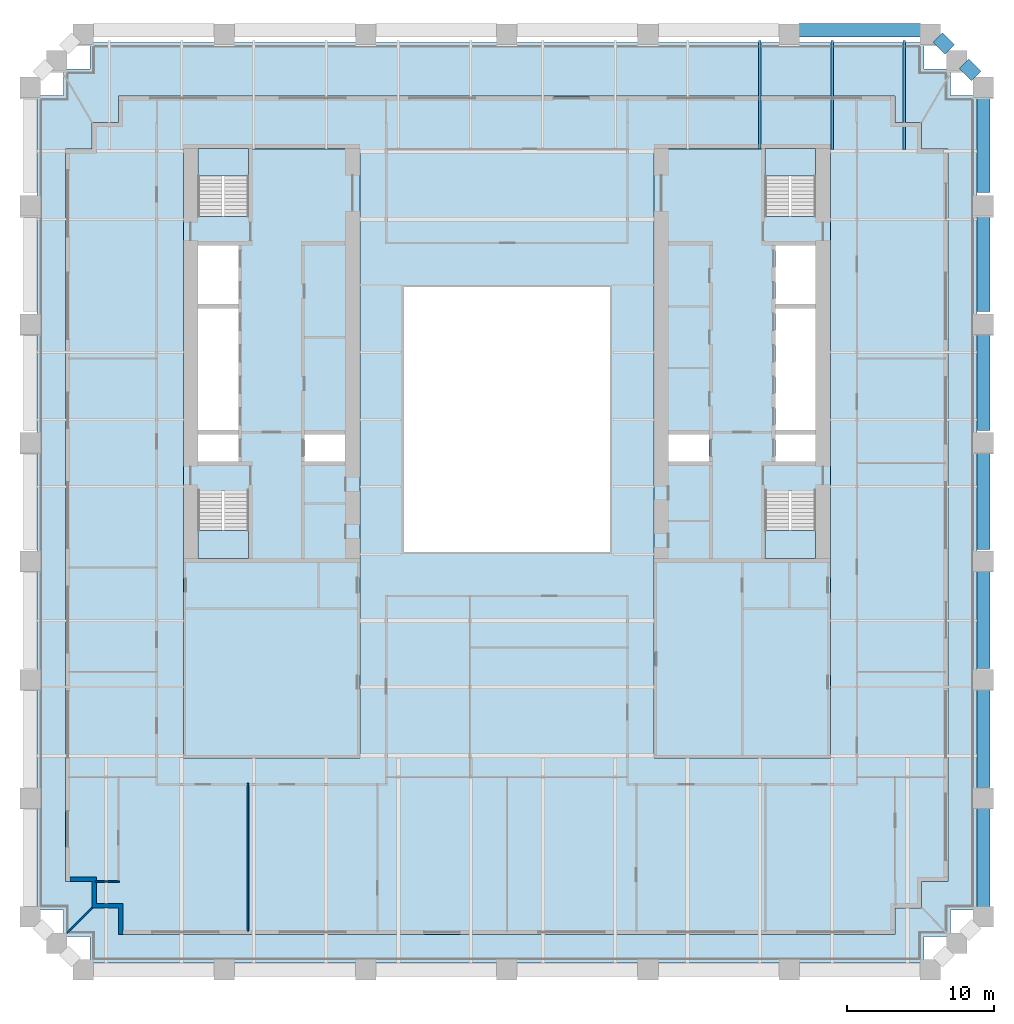
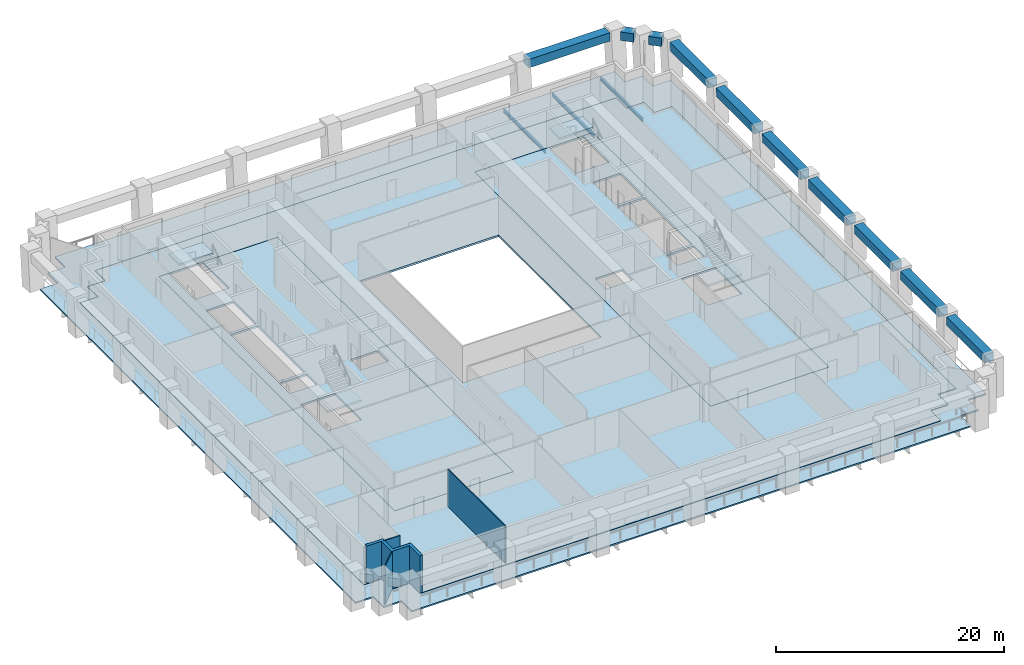
# One storey, part 2 of 10: 13 beams, 8 slabs, 4 walls, 4 elements without a shape of their own.
"""IFC4 building model written with IfcOpenShell, lengths in metres."""

from ifc_helpers import new_model, si_unit, direction, frame, frame_2d, origin, origin_2d, place, context, subcontext, project, spatial, polyline, rectangle, i_section, outline, extrude, material, layer, layer_set, material_profile, profile_set, type_object, element, aggregate, save


model = new_model("IFC4")

# Units and contexts
model_context = context("Model", 3, precision=1e-05, world=origin(), true_north=direction((0.0, 1.0)))
body_context = subcontext(model_context, "Body", "Model", "MODEL_VIEW")
ifc_project = project(units=[si_unit("LENGTHUNIT", "METRE"), si_unit("AREAUNIT", "SQUARE_METRE"), si_unit("VOLUMEUNIT", "CUBIC_METRE"), si_unit("PLANEANGLEUNIT", "RADIAN"), si_unit("MASSUNIT", "GRAM", prefix="KILO")], contexts=[model_context])

# Site, building, storey
site_placement = place(None, origin())
site = spatial("IfcSite", under=ifc_project, at=site_placement, CompositionType="ELEMENT")
building_placement = place(site_placement, origin())
building = spatial("IfcBuilding", under=site, at=building_placement, Name="Ogive Exchange Tower", CompositionType="ELEMENT")
storey_placement = place(building_placement, frame((0.0, 0.0, 52.199951171875)))
storey = spatial("IfcBuildingStorey", under=building, at=storey_placement, Name="L10", CompositionType="ELEMENT", Elevation=52.199951171875)

# Beams
ifc_material_1 = material(Name="Steel ASTM A992 Gr50", Category="steel")
ifc_material_profile_1 = material_profile(ifc_material_1, i_section(OverallWidth=0.1708984375, OverallDepth=0.35595703125, WebThickness=0.00732421875, FlangeThickness=0.01171875, at=origin_2d()), Name="W360x51")
ifc_profile_set_1 = profile_set([ifc_material_profile_1], Name="Steel ASTM A992 Gr50")
beam_type_1 = type_object("IfcBeamType", Name="Floor beam W360x51", PredefinedType="JOIST", material=ifc_profile_set_1)
beam_1_placement = place(storey_placement, frame((17.203857421875, 25.39990234375, -0.3779296875), z_axis=(0.0, 1.0, 0.0), x_axis=(-1.0, 0.0, 0.0)))
element("IfcBeam", 1, at=beam_1_placement, inside=storey, type_object=beam_type_1, Name="Floor beam", PredefinedType="JOIST", context=body_context, shape_type="SweptSolid", body=[
    extrude(i_section(OverallWidth=0.1708984375, OverallDepth=0.35595703125, WebThickness=0.00732421875, FlangeThickness=0.01171875, at=origin_2d()), origin(), (0.0, 0.0, 1.0), 7.39111328125),
])
for number, where, z_axis, x_axis, name in (
    (2, (22.119140625, 25.35888671875, -0.3779296875), (0.0, 1.0, 0.0), (-1.0, 0.0, 0.0), "Floor beam"),
    (3, (27.03466796875, 25.35888671875, -0.3779296875), (0.0, 1.0, 0.0), (-1.0, 0.0, 0.0), "Floor beam"),
):
    element("IfcBeam", number, at=place(storey_placement, frame(where, z_axis=z_axis, x_axis=x_axis)), inside=storey, type_object=beam_type_1, Name=name, PredefinedType="JOIST", context=body_context, shape_type="SweptSolid", body=[
        extrude(i_section(OverallWidth=0.1708984375, OverallDepth=0.35595703125, WebThickness=0.00732421875, FlangeThickness=0.01171875, at=origin_2d()), origin(), (0.0, 0.0, 1.0), 7.43212890625),
    ])
ifc_material_2 = material(Name="Precast concrete C70/85 (limestone faced)", Category="masonry")
ifc_material_profile_2 = material_profile(ifc_material_2, rectangle(XDim=0.89990234375, YDim=0.89990234375, at=origin_2d()), Name="900 x 900")
ifc_profile_set_2 = profile_set([ifc_material_profile_2], Name="Precast concrete C70/85 (limestone faced)")
beam_type_2 = type_object("IfcBeamType", Name="Precast spandrel 900 x 900 C70/85", PredefinedType="SPANDREL", material=ifc_profile_set_2)
beam_2_placement = place(storey_placement, frame((32.39990234375, -26.1201171875, 3.5), z_axis=(0.0, 1.0, 0.0), x_axis=(-1.0, 0.0, 0.0)))
element("IfcBeam", 4, at=beam_2_placement, inside=storey, type_object=beam_type_2, Name="Spandrel 9", PredefinedType="SPANDREL", context=body_context, shape_type="SweptSolid", body=[
    extrude(rectangle(XDim=0.89990234375, YDim=0.89990234375, at=origin_2d()), origin(), (0.0, 0.0, 1.0), 6.736328125),
])
for number, where, z_axis, x_axis, name in (
    (5, (32.39990234375, -18.02392578125, 3.5), (0.0, 1.0, 0.0), (-1.0, 0.0, 0.0), "Spandrel 10"),
    (6, (32.39990234375, -9.927734375, 3.5), (0.0, 1.0, 0.0), (-1.0, 0.0, 0.0), "Spandrel 11"),
    (7, (32.39990234375, -1.831787109375, 3.5), (0.0, 1.0, 0.0), (-1.0, 0.0, 0.0), "Spandrel 12"),
    (8, (32.39990234375, 6.264404296875, 3.5), (0.0, 1.0, 0.0), (-1.0, 0.0, 0.0), "Spandrel 13"),
    (9, (32.39990234375, 14.360595703125, 3.5), (0.0, 1.0, 0.0), (-1.0, 0.0, 0.0), "Spandrel 14"),
    (10, (32.39990234375, 22.45654296875, 3.5), (0.0, 1.0, 0.0), (-1.0, 0.0, 0.0), "Spandrel 15"),
):
    element("IfcBeam", number, at=place(storey_placement, frame(where, z_axis=z_axis, x_axis=x_axis)), inside=storey, type_object=beam_type_2, Name=name, PredefinedType="SPANDREL", context=body_context, shape_type="SweptSolid", body=[
        extrude(rectangle(XDim=0.89990234375, YDim=0.89990234375, at=origin_2d()), origin(), (0.0, 0.0, 1.0), 6.736083984375),
    ])
for number, where, z_axis, x_axis, name in (
    (11, (31.912109375, 30.360595703125, 3.5), (-0.707106781187, 0.707106781187, 0.0), (-0.707106781187, -0.707106781187, 0.0), "Spandrel 16"),
    (12, (30.112060546875, 32.16064453125, 3.5), (-0.707106781187, 0.707106781187, 0.0), (-0.707106781187, -0.707106781187, 0.0), "Spandrel 17"),
):
    element("IfcBeam", number, at=place(storey_placement, frame(where, z_axis=z_axis, x_axis=x_axis)), inside=storey, type_object=beam_type_2, Name=name, PredefinedType="SPANDREL", context=body_context, shape_type="SweptSolid", body=[
        extrude(rectangle(XDim=0.89990234375, YDim=0.89990234375, at=origin_2d()), origin(), (0.0, 0.0, 1.0), 1.16552734375),
    ])
beam_3_placement = place(storey_placement, frame((28.1201171875, 33.47265625, 3.5), z_axis=(-1.0, 0.0, 0.0), x_axis=(0.0, -1.0, 0.0)))
element("IfcBeam", 13, at=beam_3_placement, inside=storey, type_object=beam_type_2, Name="Spandrel 18", PredefinedType="SPANDREL", context=body_context, shape_type="SweptSolid", body=[
    extrude(rectangle(XDim=0.89990234375, YDim=0.89990234375, at=origin_2d()), origin(), (0.0, 0.0, 1.0), 8.240234375),
])

# Slabs
ifc_material_3 = material(Name="Concrete C50/60", Category="concrete")
ifc_layer_1 = layer(ifc_material_3, 0.199951171875)
ifc_layer_set_1 = layer_set([ifc_layer_1], Name="Composite floor slab 200")
slab_type_1 = type_object("IfcSlabType", Name="Composite floor slab 200", PredefinedType="FLOOR", material=ifc_layer_set_1)
slab_1_placement = place(storey_placement, frame((0.0, 0.0, -0.199951171875)))
element("IfcSlab", 14, at=slab_1_placement, inside=storey, type_object=slab_type_1, Name="Composite floor slab", PredefinedType="FLOOR", context=body_context, shape_type="SweptSolid", body=[
    extrude(outline(polyline([(-26.39990234375, -26.199951171875), (-28.199951171875, -26.199951171875), (-28.199951171875, -24.39990234375), (-30.0, -24.39990234375), (-30.0, 25.39990234375), (-28.199951171875, 25.39990234375), (-28.199951171875, 27.199951171875), (-26.39990234375, 27.199951171875), (-26.39990234375, 29.0), (26.39990234375, 29.0), (26.39990234375, 27.199951171875), (28.199951171875, 27.199951171875), (28.199951171875, 25.39990234375), (30.0, 25.39990234375), (30.0, -24.39990234375), (28.199951171875, -24.39990234375), (28.199951171875, -26.199951171875), (26.39990234375, -26.199951171875), (26.39990234375, -28.0), (-26.39990234375, -28.0), (-26.39990234375, -26.199951171875)]), holes=[polyline([(-10.0, -16.0), (-10.0, 25.39990234375), (-22.0, 25.39990234375), (-22.0, -16.0), (-10.0, -16.0)]), polyline([(10.0, -16.0), (22.0, -16.0), (22.0, 25.39990234375), (10.0, 25.39990234375), (10.0, -16.0)]), polyline([(-7.0, -2.0), (7.0, -2.0), (7.0, 16.0), (-7.0, 16.0), (-7.0, -2.0)])]), origin(), (0.0, 0.0, 1.0), 0.199951171875),
])
ifc_material_4 = material(Name="Concrete C70/85", Category="concrete")
ifc_layer_2 = layer(ifc_material_4, 0.199951171875)
ifc_layer_set_2 = layer_set([ifc_layer_2], Name="Core floor slab 200")
slab_type_2 = type_object("IfcSlabType", Name="Core floor slab 200", PredefinedType="FLOOR", material=ifc_layer_set_2)
slab_2_placement = place(storey_placement, frame((0.0, 0.0, -0.199951171875)))
element("IfcSlab", 15, at=slab_2_placement, inside=storey, type_object=slab_type_2, Name="Core floor slab", PredefinedType="FLOOR", context=body_context, shape_type="SweptSolid", body=[
    extrude(outline(polyline([(-10.0, 25.39990234375), (-10.0, -16.0), (-22.0, -16.0), (-22.0, 25.39990234375), (-21.0, 25.39990234375), (-21.0, 20.803955078125), (-17.550048828125, 20.803955078125), (-17.550048828125, 25.39990234375), (-10.0, 25.39990234375)]), holes=[polyline([(-17.550048828125, 2.196044921875), (-21.0, 2.196044921875), (-21.0, -2.449951171875), (-17.550048828125, -2.449951171875), (-17.550048828125, 2.196044921875)]), polyline([(-18.25, 5.992919921875), (-21.0, 5.992919921875), (-21.0, 4.14990234375), (-18.25, 4.14990234375), (-18.25, 5.992919921875)]), polyline([(-11.0, 5.992919921875), (-13.75, 5.992919921875), (-13.75, 4.14990234375), (-11.0, 4.14990234375), (-11.0, 5.992919921875)]), polyline([(-21.0, 14.564208984375), (-21.0, 6.29296875), (-18.25, 6.29296875), (-18.25, 14.564208984375), (-21.0, 14.564208984375)]), polyline([(-18.25, 18.85009765625), (-21.0, 18.85009765625), (-21.0, 14.8642578125), (-18.25, 14.8642578125), (-18.25, 18.85009765625)])]), origin(), (0.0, 0.0, 1.0), 0.199951171875),
])
slab_3_placement = place(storey_placement, frame((0.0, 0.0, -0.199951171875)))
element("IfcSlab", 16, at=slab_3_placement, inside=storey, type_object=slab_type_2, Name="Core floor slab", PredefinedType="FLOOR", context=body_context, shape_type="SweptSolid", body=[
    extrude(outline(polyline([(22.0, 25.39990234375), (22.0, -16.0), (10.0, -16.0), (10.0, 25.39990234375), (17.550048828125, 25.39990234375), (17.550048828125, 20.803955078125), (21.0, 20.803955078125), (21.0, 25.39990234375), (22.0, 25.39990234375)]), holes=[polyline([(21.0, 2.196044921875), (17.550048828125, 2.196044921875), (17.550048828125, -2.449951171875), (21.0, -2.449951171875), (21.0, 2.196044921875)]), polyline([(13.75, 5.992919921875), (11.0, 5.992919921875), (11.0, 4.14990234375), (13.75, 4.14990234375), (13.75, 5.992919921875)]), polyline([(21.0, 5.992919921875), (18.25, 5.992919921875), (18.25, 4.14990234375), (21.0, 4.14990234375), (21.0, 5.992919921875)]), polyline([(18.25, 14.564208984375), (18.25, 6.29296875), (21.0, 6.29296875), (21.0, 14.564208984375), (18.25, 14.564208984375)]), polyline([(21.0, 18.85009765625), (18.25, 18.85009765625), (18.25, 14.8642578125), (21.0, 14.8642578125), (21.0, 18.85009765625)])]), origin(), (0.0, 0.0, 1.0), 0.199951171875),
])
ifc_layer_3 = layer(ifc_material_3, 0.14990234375)
ifc_layer_set_3 = layer_set([ifc_layer_3], Name="Loggia deck 150")
slab_type_3 = type_object("IfcSlabType", Name="Loggia deck 150", PredefinedType="FLOOR", material=ifc_layer_set_3)
slab_4_placement = place(storey_placement, frame((0.0, 0.0, -0.199951171875)))
element("IfcSlab", 17, at=slab_4_placement, inside=storey, type_object=slab_type_3, Name="Loggia deck", PredefinedType="FLOOR", context=body_context, shape_type="SweptSolid", body=[
    extrude(outline(polyline([(-28.35009765625, -28.14990234375), (-30.14990234375, -28.14990234375), (-30.14990234375, -26.35009765625), (-31.949951171875, -26.35009765625), (-31.949951171875, 29.041015625), (-30.14990234375, 29.041015625), (-30.14990234375, 30.8408203125), (-28.35009765625, 30.8408203125), (-28.35009765625, 32.640869140625), (28.35009765625, 32.640869140625), (28.35009765625, 30.8408203125), (30.14990234375, 30.8408203125), (30.14990234375, 29.041015625), (31.949951171875, 29.041015625), (31.949951171875, -26.35009765625), (30.14990234375, -26.35009765625), (30.14990234375, -28.14990234375), (28.35009765625, -28.14990234375), (28.35009765625, -29.949951171875), (-28.35009765625, -29.949951171875), (-28.35009765625, -28.14990234375)]), holes=[polyline([(26.39990234375, -26.199951171875), (28.199951171875, -26.199951171875), (28.199951171875, -24.39990234375), (30.0, -24.39990234375), (30.0, 25.39990234375), (28.199951171875, 25.39990234375), (28.199951171875, 27.199951171875), (26.39990234375, 27.199951171875), (26.39990234375, 29.0), (-26.39990234375, 29.0), (-26.39990234375, 27.199951171875), (-28.199951171875, 27.199951171875), (-28.199951171875, 25.39990234375), (-30.0, 25.39990234375), (-30.0, -24.39990234375), (-28.199951171875, -24.39990234375), (-28.199951171875, -26.199951171875), (-26.39990234375, -26.199951171875), (-26.39990234375, -28.0), (26.39990234375, -28.0), (26.39990234375, -26.199951171875)])]), origin(), (0.0, 0.0, 1.0), 0.14990234375),
])

# Stair, slab
ifc_material_5 = material(Name="Concrete C40/50", Category="concrete")
stair_type = type_object("IfcStairType", Name="Exit stair 1650 wide", PredefinedType="HALF_TURN_STAIR", material=ifc_material_5)
stair_1_placement = place(storey_placement, origin())
stair_1 = element("IfcStair", 18, at=stair_1_placement, inside=storey, type_object=stair_type, Name="L10 exit stair ST1", PredefinedType="HALF_TURN_STAIR")
ifc_layer_4 = layer(ifc_material_5, 0.199951171875)
ifc_layer_set_4 = layer_set([ifc_layer_4], Name="Stair landing 200 slab")
slab_type_4 = type_object("IfcSlabType", Name="Stair landing 200 slab", PredefinedType="LANDING", material=ifc_layer_set_4)
slab_5_placement = place(storey_placement, frame((0.0, 0.0, 1.900146484375)))
slab_5 = element("IfcSlab", 19, at=slab_5_placement, type_object=slab_type_4, Name="ST1 landing 1", PredefinedType="LANDING", context=body_context, shape_type="SweptSolid", body=[
    extrude(outline(polyline([(-21.0, -0.550048828125), (-21.0, -2.449951171875), (-17.550048828125, -2.449951171875), (-17.550048828125, -0.550048828125), (-21.0, -0.550048828125)])), origin(), (0.0, 0.0, 1.0), 0.199951171875),
])
aggregate(stair_1, [slab_5])

stair_2_placement = place(storey_placement, origin())
stair_2 = element("IfcStair", 20, at=stair_2_placement, inside=storey, type_object=stair_type, Name="L10 exit stair ST2", PredefinedType="HALF_TURN_STAIR")
slab_6_placement = place(storey_placement, frame((0.0, 0.0, 1.900146484375)))
slab_6 = element("IfcSlab", 21, at=slab_6_placement, type_object=slab_type_4, Name="ST2 landing 1", PredefinedType="LANDING", context=body_context, shape_type="SweptSolid", body=[
    extrude(outline(polyline([(-17.550048828125, 23.550048828125), (-17.550048828125, 25.449951171875), (-21.0, 25.449951171875), (-21.0, 23.550048828125), (-17.550048828125, 23.550048828125)])), origin(), (0.0, 0.0, 1.0), 0.199951171875),
])
aggregate(stair_2, [slab_6])

stair_3_placement = place(storey_placement, origin())
stair_3 = element("IfcStair", 22, at=stair_3_placement, inside=storey, type_object=stair_type, Name="L10 exit stair ST3", PredefinedType="HALF_TURN_STAIR")
slab_7_placement = place(storey_placement, frame((0.0, 0.0, 1.900146484375)))
slab_7 = element("IfcSlab", 23, at=slab_7_placement, type_object=slab_type_4, Name="ST3 landing 1", PredefinedType="LANDING", context=body_context, shape_type="SweptSolid", body=[
    extrude(outline(polyline([(17.550048828125, -0.550048828125), (17.550048828125, -2.449951171875), (21.0, -2.449951171875), (21.0, -0.550048828125), (17.550048828125, -0.550048828125)])), origin(), (0.0, 0.0, 1.0), 0.199951171875),
])
aggregate(stair_3, [slab_7])

stair_4_placement = place(storey_placement, origin())
stair_4 = element("IfcStair", 24, at=stair_4_placement, inside=storey, type_object=stair_type, Name="L10 exit stair ST4", PredefinedType="HALF_TURN_STAIR")
slab_8_placement = place(storey_placement, frame((0.0, 0.0, 1.900146484375)))
slab_8 = element("IfcSlab", 25, at=slab_8_placement, type_object=slab_type_4, Name="ST4 landing 1", PredefinedType="LANDING", context=body_context, shape_type="SweptSolid", body=[
    extrude(outline(polyline([(21.0, 23.550048828125), (21.0, 25.449951171875), (17.550048828125, 25.449951171875), (17.550048828125, 23.550048828125), (21.0, 23.550048828125)])), origin(), (0.0, 0.0, 1.0), 0.199951171875),
])
aggregate(stair_4, [slab_8])

# Walls
ifc_material_6 = material(Name="Precast concrete C40/50", Category="concrete")
ifc_layer_5 = layer(ifc_material_6, 0.300048828125)
ifc_layer_set_5 = layer_set([ifc_layer_5], Name="Limestone-faced wall 300")
wall_type_1 = type_object("IfcWallType", Name="Limestone-faced wall 300", PredefinedType="STANDARD", material=ifc_layer_set_5)
wall_1_placement = place(storey_placement, origin())
element("IfcWall", 26, at=wall_1_placement, inside=storey, type_object=wall_type_1, Name="External corner wall C4", PredefinedType="STANDARD", context=body_context, shape_type="SweptSolid", body=[
    extrude(outline(polyline([(-26.39990234375, -26.199951171875), (-28.199951171875, -26.199951171875), (-28.199951171875, -24.39990234375), (-29.699951171875, -24.39990234375), (-29.699951171875, -24.10009765625), (-27.89990234375, -24.10009765625), (-27.89990234375, -25.89990234375), (-26.10009765625, -25.89990234375), (-26.10009765625, -28.0), (-26.39990234375, -28.0), (-26.39990234375, -26.199951171875)])), origin(), (0.0, 0.0, 1.0), 4.0),
])
ifc_material_7 = material(Name="Laminated safety glass in steel frame", Category="steel")
ifc_layer_6 = layer(ifc_material_7, 0.10009765625)
ifc_layer_set_6 = layer_set([ifc_layer_6], Name="Loggia end screen 100")
wall_type_2 = type_object("IfcWallType", Name="Loggia end screen 100", PredefinedType="STANDARD", material=ifc_layer_set_6)
wall_2_placement = place(storey_placement, frame((-28.199951171875, -26.199951171875, -0.050048828125), z_axis=(0.0, 0.0, 1.0), x_axis=(-0.707106781187, -0.707106781187, 0.0)))
element("IfcWall", 27, at=wall_2_placement, inside=storey, type_object=wall_type_2, Name="Loggia end screen C4", PredefinedType="STANDARD", context=body_context, shape_type="SweptSolid", body=[
    extrude(rectangle(XDim=2.384521484375, YDim=0.10009765625, at=frame_2d((1.1923828125, 0.0))), origin(), (0.0, 0.0, 1.0), 4.050048828125),
])
ifc_material_8 = material(Name="Partition 100 gypsum")
ifc_layer_7 = layer(ifc_material_8, 0.10009765625)
ifc_layer_set_7 = layer_set([ifc_layer_7], Name="Partition 100 gypsum")
wall_type_3 = type_object("IfcWallType", Name="Partition 100 gypsum", PredefinedType="PARTITIONING", material=ifc_layer_set_7)
wall_3_placement = place(storey_placement, frame((-28.0, -24.409912109375, 0.0), z_axis=(0.0, 0.0, 1.0), x_axis=(1.0, 0.0, 0.0)))
element("IfcWall", 28, at=wall_3_placement, inside=storey, type_object=wall_type_3, Name="L10-PWL-001", PredefinedType="PARTITIONING", context=body_context, shape_type="SweptSolid", body=[
    extrude(rectangle(XDim=1.64990234375, YDim=0.10009765625, at=frame_2d((0.824951171875, 0.0))), origin(), (0.0, 0.0, 1.0), 4.0),
])
wall_4_placement = place(storey_placement, frame((-17.60009765625, -27.800048828125, 0.0), z_axis=(0.0, 0.0, 1.0), x_axis=(0.0, 1.0, 0.0)))
element("IfcWall", 29, at=wall_4_placement, inside=storey, type_object=wall_type_3, Name="L10-PWL-014", PredefinedType="PARTITIONING", context=body_context, shape_type="SweptSolid", body=[
    extrude(rectangle(XDim=10.074951171875, YDim=0.10009765625, at=frame_2d((5.03759765625, 0.0))), origin(), (0.0, 0.0, 1.0), 4.0),
])

save(model, "model.ifc")
